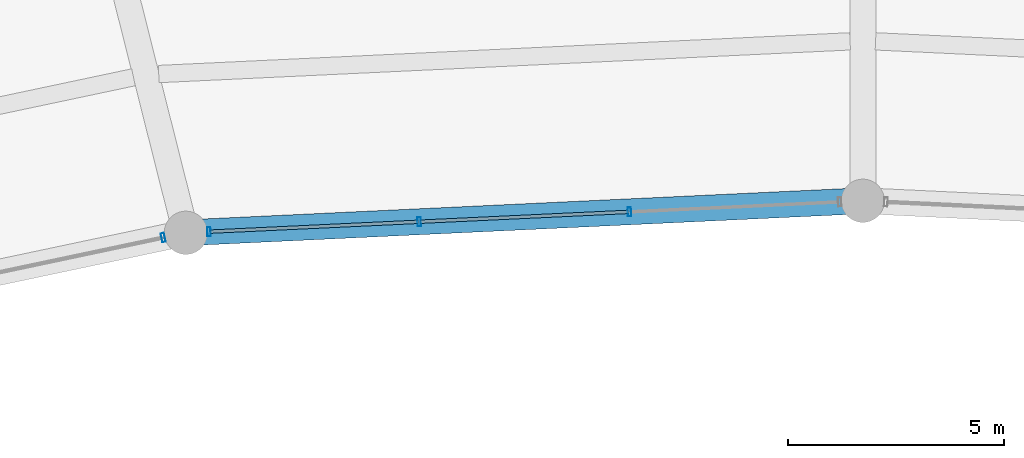
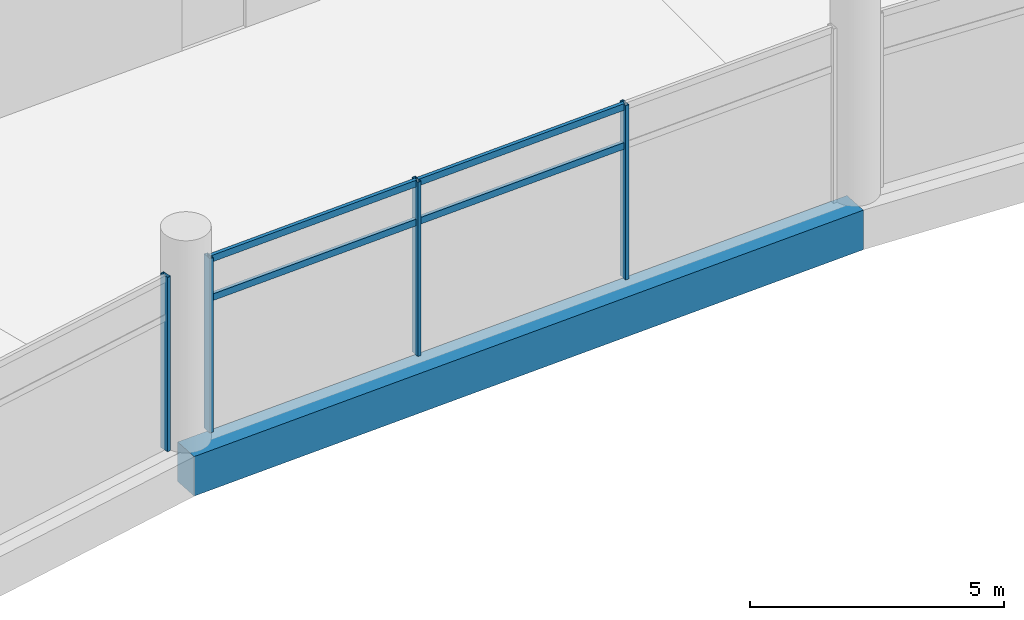
# One storey, part 108 of 184: 8 members, 1 beam, 2 elements without a shape of their own.
"""IFC4 building model written with IfcOpenShell, lengths in metres."""

from ifc_helpers import new_model, si_unit, direction, frame, origin, origin_2d, place, context, subcontext, project, spatial, rectangle, hollow_rectangle, extrude, material, layer, layer_set, material_profile, profile_set, type_object, element, aggregate, save


model = new_model("IFC4")

# Units and contexts
model_context = context("Model", 3, precision=1e-05, world=origin(), true_north=direction((0.0, 1.0)))
body_context = subcontext(model_context, "Body", "Model", "MODEL_VIEW")
ifc_project = project(units=[si_unit("LENGTHUNIT", "METRE"), si_unit("AREAUNIT", "SQUARE_METRE"), si_unit("VOLUMEUNIT", "CUBIC_METRE"), si_unit("PLANEANGLEUNIT", "RADIAN"), si_unit("MASSUNIT", "GRAM", prefix="KILO")], contexts=[model_context])

# Site, building, storey
site_placement = place(None, origin())
site = spatial("IfcSite", under=ifc_project, at=site_placement, CompositionType="ELEMENT")
building_placement = place(site_placement, origin())
building = spatial("IfcBuilding", under=site, at=building_placement, Name="Kazemori Nagisa Stadium", CompositionType="ELEMENT")
storey_placement = place(building_placement, frame((0.0, 0.0, 10.5400390625)))
storey = spatial("IfcBuildingStorey", under=building, at=storey_placement, Name="L02", CompositionType="ELEMENT", Elevation=10.5400390625)

# Beam
ifc_material_1 = material(Name="Concrete C40/50 (Fc42)", Category="concrete")
ifc_material_profile_1 = material_profile(ifc_material_1, rectangle(XDim=0.60009765625, YDim=0.949951171875, at=origin_2d()), Name="RC-BM-600x950")
ifc_profile_set_1 = profile_set([ifc_material_profile_1], Name="Concrete C40/50 (Fc42)")
beam_type = type_object("IfcBeamType", Name="Beam_BG-RC600X950", PredefinedType="BEAM", material=ifc_profile_set_1)
beam_placement = place(storey_placement, frame((123.0, 164.780029296875, -0.735107421875), z_axis=(-0.998883604512, -0.047239227746, 0.0), x_axis=(0.047239227746, -0.998883604512, 0.0)))
element("IfcBeam", 1, at=beam_placement, inside=storey, type_object=beam_type, Name="Ring girder BG-RC600X950 L02 R1-08", PredefinedType="BEAM", context=body_context, shape_type="SweptSolid", body=[
    extrude(rectangle(XDim=0.60009765625, YDim=0.949951171875, at=origin_2d()), origin(), (0.0, 0.0, 1.0), 15.65966796875),
])

# Curtain wall, members
ifc_material_2 = material(Name="Anodised aluminium 6063-T5", Category="aluminium")
ifc_layer_1 = layer(ifc_material_2, 0.2099609375, Name="Anodised aluminium 6063-T5", Category="aluminium")
ifc_layer_set_1 = layer_set([ifc_layer_1], Name="Anodised aluminium 6063-T5")
curtain_wall_type_1 = type_object("IfcCurtainWallType", Name="CW_L02B_73", PredefinedType="USERDEFINED", material=ifc_layer_set_1)
curtain_wall_1_placement = place(storey_placement, origin())
curtain_wall_1 = element("IfcCurtainWall", 2, at=curtain_wall_1_placement, inside=storey, type_object=curtain_wall_type_1, Name="Unitised curtain wall CW-L02B-73 L02", ObjectType="UNITISED CURTAIN WALL", PredefinedType="USERDEFINED")
ifc_material_3 = material(Name="Aluminium 6063-T5 anodised", Category="aluminium")
ifc_material_profile_2 = material_profile(ifc_material_3, hollow_rectangle(XDim=0.080078125, YDim=0.2099609375, WallThickness=0.0048828125, at=origin_2d()), Name="ALU-MULL-80x210x5")
ifc_profile_set_2 = profile_set([ifc_material_profile_2], Name="Aluminium 6063-T5 anodised")
member_type_1 = type_object("IfcMemberType", Name="Mullion_M02", PredefinedType="MULLION", material=ifc_profile_set_2)
member_1_placement = place(storey_placement, frame((117.60791015625, 164.525146484375, 0.0), z_axis=(0.0, 0.0, 1.0), x_axis=(-0.998884022476, -0.047230388971, 0.0)))
member_1 = element("IfcMember", 3, at=member_1_placement, type_object=member_type_1, Name="Curtain wall mullion CW-L02B-73-M2", PredefinedType="MULLION", context=body_context, shape_type="SweptSolid", body=[
    extrude(hollow_rectangle(XDim=0.080078125, YDim=0.2099609375, WallThickness=0.0048828125, at=origin_2d()), origin(), (0.0, 0.0, 1.0), 4.18994140625),
])
member_2_placement = place(storey_placement, frame((112.75, 164.29541015625, 0.0), z_axis=(0.0, 0.0, 1.0), x_axis=(-0.998884022476, -0.047230388971, 0.0)))
member_2 = element("IfcMember", 4, at=member_2_placement, type_object=member_type_1, Name="Curtain wall mullion CW-L02B-73-M3", PredefinedType="MULLION", context=body_context, shape_type="SweptSolid", body=[
    extrude(hollow_rectangle(XDim=0.080078125, YDim=0.2099609375, WallThickness=0.0048828125, at=origin_2d()), origin(), (0.0, 0.0, 1.0), 4.18994140625),
])
member_3_placement = place(storey_placement, frame((107.89208984375, 164.065673828125, 0.0), z_axis=(0.0, 0.0, 1.0), x_axis=(-0.998884022476, -0.047230388971, 0.0)))
member_3 = element("IfcMember", 5, at=member_3_placement, type_object=member_type_1, Name="Curtain wall mullion CW-L02B-73-M4", PredefinedType="MULLION", context=body_context, shape_type="SweptSolid", body=[
    extrude(hollow_rectangle(XDim=0.080078125, YDim=0.2099609375, WallThickness=0.0048828125, at=origin_2d()), origin(), (0.0, 0.0, 1.0), 4.18994140625),
])

# Curtain wall, member
ifc_layer_2 = layer(ifc_material_2, 0.2099609375, Name="Anodised aluminium 6063-T5", Category="aluminium")
ifc_layer_set_2 = layer_set([ifc_layer_2], Name="Anodised aluminium 6063-T5")
curtain_wall_type_2 = type_object("IfcCurtainWallType", Name="CW_L02B_75", PredefinedType="USERDEFINED", material=ifc_layer_set_2)
curtain_wall_2_placement = place(storey_placement, origin())
curtain_wall_2 = element("IfcCurtainWall", 6, at=curtain_wall_2_placement, inside=storey, type_object=curtain_wall_type_2, Name="Unitised curtain wall CW-L02B-75 L02", ObjectType="UNITISED CURTAIN WALL", PredefinedType="USERDEFINED")
member_4_placement = place(storey_placement, frame((106.83447265625, 163.9296875, 0.0), z_axis=(0.0, 0.0, 1.0), x_axis=(-0.978344955407, -0.206981033502, 0.0)))
member_4 = element("IfcMember", 7, at=member_4_placement, type_object=member_type_1, Name="Curtain wall mullion CW-L02B-75-M1", PredefinedType="MULLION", context=body_context, shape_type="SweptSolid", body=[
    extrude(hollow_rectangle(XDim=0.080078125, YDim=0.2099609375, WallThickness=0.0048828125, at=origin_2d()), origin(), (0.0, 0.0, 1.0), 4.18994140625),
])
aggregate(curtain_wall_2, [member_4])

# Member
ifc_material_profile_3 = material_profile(ifc_material_3, hollow_rectangle(XDim=0.080078125, YDim=0.159912109375, WallThickness=0.00390625, at=origin_2d()), Name="ALU-TRAN-80x160x4")
ifc_profile_set_3 = profile_set([ifc_material_profile_3], Name="Aluminium 6063-T5 anodised")
member_type_2 = type_object("IfcMemberType", Name="Transom_T02", PredefinedType="USERDEFINED", material=ifc_profile_set_3)
member_5_placement = place(storey_placement, frame((117.587890625, 164.524169921875, 3.184326171875), z_axis=(-0.998884227355, -0.047226055748, 0.0), x_axis=(0.047226055748, -0.998884227355, 0.0)))
member_5 = element("IfcMember", 8, at=member_5_placement, type_object=member_type_2, Name="Curtain wall transom CW-L02B-73-T2-mid", ObjectType="TRANSOM", PredefinedType="USERDEFINED", context=body_context, shape_type="SweptSolid", body=[
    extrude(hollow_rectangle(XDim=0.080078125, YDim=0.159912109375, WallThickness=0.00390625, at=origin_2d()), origin(), (0.0, 0.0, 1.0), 4.8232421875),
])

member_6_placement = place(storey_placement, frame((117.587890625, 164.524169921875, 4.119873046875), z_axis=(-0.998884227355, -0.047226055748, 0.0), x_axis=(0.047226055748, -0.998884227355, 0.0)))
member_6 = element("IfcMember", 9, at=member_6_placement, type_object=member_type_2, Name="Curtain wall transom CW-L02B-73-T2-head", ObjectType="TRANSOM", PredefinedType="USERDEFINED", context=body_context, shape_type="SweptSolid", body=[
    extrude(hollow_rectangle(XDim=0.080078125, YDim=0.159912109375, WallThickness=0.00390625, at=origin_2d()), origin(), (0.0, 0.0, 1.0), 4.8232421875),
])

member_7_placement = place(storey_placement, frame((112.72998046875, 164.29443359375, 3.184326171875), z_axis=(-0.998884227355, -0.047226055748, 0.0), x_axis=(0.047226055748, -0.998884227355, 0.0)))
member_7 = element("IfcMember", 10, at=member_7_placement, type_object=member_type_2, Name="Curtain wall transom CW-L02B-73-T3-mid", ObjectType="TRANSOM", PredefinedType="USERDEFINED", context=body_context, shape_type="SweptSolid", body=[
    extrude(hollow_rectangle(XDim=0.080078125, YDim=0.159912109375, WallThickness=0.00390625, at=origin_2d()), origin(), (0.0, 0.0, 1.0), 4.8232421875),
])

member_8_placement = place(storey_placement, frame((112.72998046875, 164.29443359375, 4.119873046875), z_axis=(-0.998884227355, -0.047226055748, 0.0), x_axis=(0.047226055748, -0.998884227355, 0.0)))
member_8 = element("IfcMember", 11, at=member_8_placement, type_object=member_type_2, Name="Curtain wall transom CW-L02B-73-T3-head", ObjectType="TRANSOM", PredefinedType="USERDEFINED", context=body_context, shape_type="SweptSolid", body=[
    extrude(hollow_rectangle(XDim=0.080078125, YDim=0.159912109375, WallThickness=0.00390625, at=origin_2d()), origin(), (0.0, 0.0, 1.0), 4.8232421875),
])

aggregate(curtain_wall_1, [member_1, member_2, member_3, member_5, member_6, member_7, member_8])

save(model, "model.ifc")
